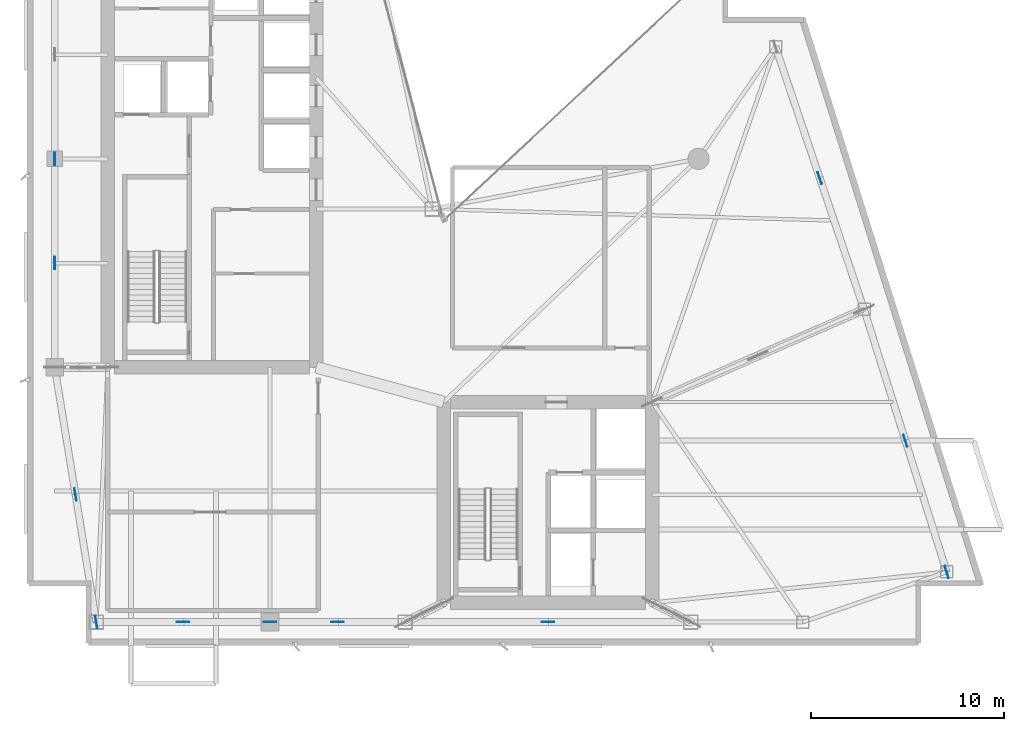
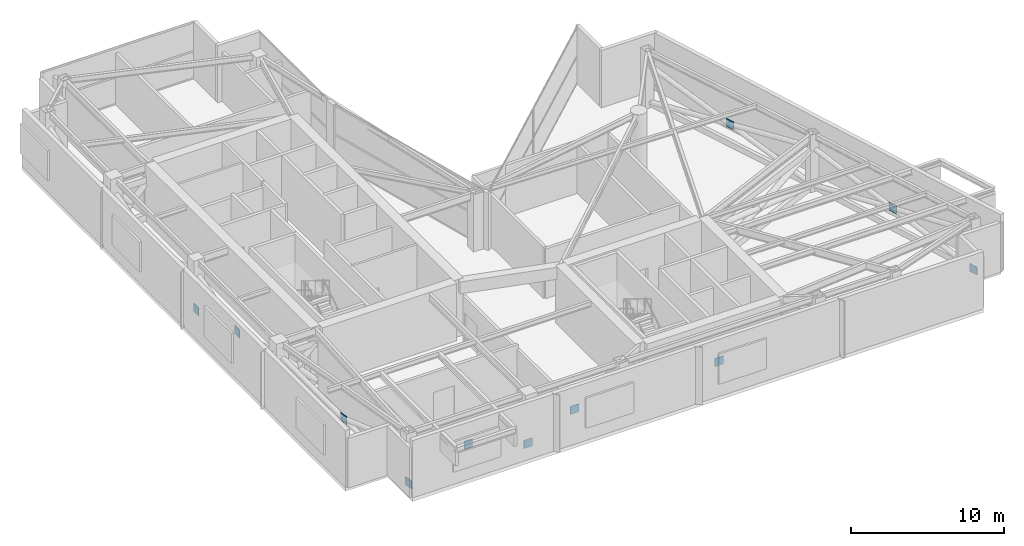
# One storey, part 10 of 16: 11 plates.
"""IFC4 building model written with IfcOpenShell, lengths in metres."""

from ifc_helpers import new_model, si_unit, direction, frame, origin, origin_2d, place, context, subcontext, project, spatial, rectangle, extrude, material, layer, layer_set, type_object, element, save


model = new_model("IFC4")

# Units and contexts
model_context = context("Model", 3, precision=1e-05, world=origin(), true_north=direction((0.0, 1.0)))
body_context = subcontext(model_context, "Body", "Model", "MODEL_VIEW")
ifc_project = project(units=[si_unit("LENGTHUNIT", "METRE"), si_unit("AREAUNIT", "SQUARE_METRE"), si_unit("VOLUMEUNIT", "CUBIC_METRE"), si_unit("PLANEANGLEUNIT", "RADIAN"), si_unit("MASSUNIT", "GRAM", prefix="KILO")], contexts=[model_context])

# Site, building, storey
site_placement = place(None, origin())
site = spatial("IfcSite", under=ifc_project, at=site_placement, CompositionType="ELEMENT")
building_placement = place(site_placement, origin())
building = spatial("IfcBuilding", under=site, at=building_placement, Name="Calvorn Quay Hotel", CompositionType="ELEMENT")
storey_placement = place(building_placement, frame((0.0, 0.0, 234.5)))
storey = spatial("IfcBuildingStorey", under=building, at=storey_placement, Name="L58", CompositionType="ELEMENT", Elevation=234.5)

# Plates
ifc_material = material(Name="Steel Q390GJC", Category="steel")
ifc_layer = layer(ifc_material, 0.035888671875)
ifc_layer_set = layer_set([ifc_layer], Name="PLT-GUSSET-36")
plate_type = type_object("IfcPlateType", Name="PLT-GUSSET-36", PredefinedType="SHEET", material=ifc_layer_set)
for number, where, z_axis, x_axis, name in (
    (1, (3.60009765625, 3.60009765625, 0.025146484375), (0.0, 0.0, 1.0), (-0.160742565604, 0.98699636656, 0.0), "Belt Truss Gusset Plate L58-BW1-A"),
    (2, (2.52490234375, 10.199951171875, 1.52001953125), (0.0, 0.0, 1.0), (-0.160742565604, 0.98699636656, 0.0), "Belt Truss Gusset Plate L58-BW1-X"),
    (3, (1.449951171875, 22.199951171875, 1.52001953125), (0.0, 0.0, 1.0), (0.0, 1.0, 0.0), "Belt Truss Gusset Plate L58-BW2-X"),
    (4, (1.449951171875, 27.60009765625, 0.025146484375), (0.0, 0.0, 1.0), (0.0, 1.0, 0.0), "Belt Truss Gusset Plate L58-BW2-B"),
    (5, (8.10009765625, 3.60009765625, 1.52001953125), (0.0, 0.0, 1.0), (1.0, 0.0, 0.0), "Belt Truss Gusset Plate L58-BS1-X"),
    (6, (12.60009765625, 3.60009765625, 0.025146484375), (0.0, 0.0, 1.0), (1.0, 0.0, 0.0), "Belt Truss Gusset Plate L58-BS1-B"),
    (7, (16.10009765625, 3.60009765625, 1.52001953125), (0.0, 0.0, 1.0), (1.0, 0.0, 0.0), "Belt Truss Gusset Plate L58-BS2-X"),
    (8, (27.0, 3.60009765625, 1.52001953125), (0.0, 0.0, 1.0), (1.0, 0.0, 0.0), "Belt Truss Gusset Plate L58-BS3-X"),
    (9, (47.660888671875, 6.199951171875, 0.025146484375), (0.0, 0.0, 1.0), (-0.300539339916, 0.953769419285, 0.0), "Belt Truss Gusset Plate L58-BE1-A"),
    (10, (45.51904296875, 13.0, 1.52001953125), (0.0, 0.0, 1.0), (-0.300539339916, 0.953769419285, 0.0), "Belt Truss Gusset Plate L58-BE1-X"),
    (11, (41.083984375, 26.60009765625, 1.52001953125), (0.0, 0.0, 1.0), (-0.319455515932, 0.947601273395, 0.0), "Belt Truss Gusset Plate L58-BE2-X"),
):
    element("IfcPlate", number, at=place(storey_placement, frame(where, z_axis=z_axis, x_axis=x_axis)), inside=storey, type_object=plate_type, Name=name, PredefinedType="SHEET", context=body_context, shape_type="SweptSolid", body=[
        extrude(rectangle(XDim=0.64990234375, YDim=0.035888671875, at=origin_2d()), origin(), (0.0, 0.0, 1.0), 0.64990234375),
    ])

save(model, "model.ifc")
